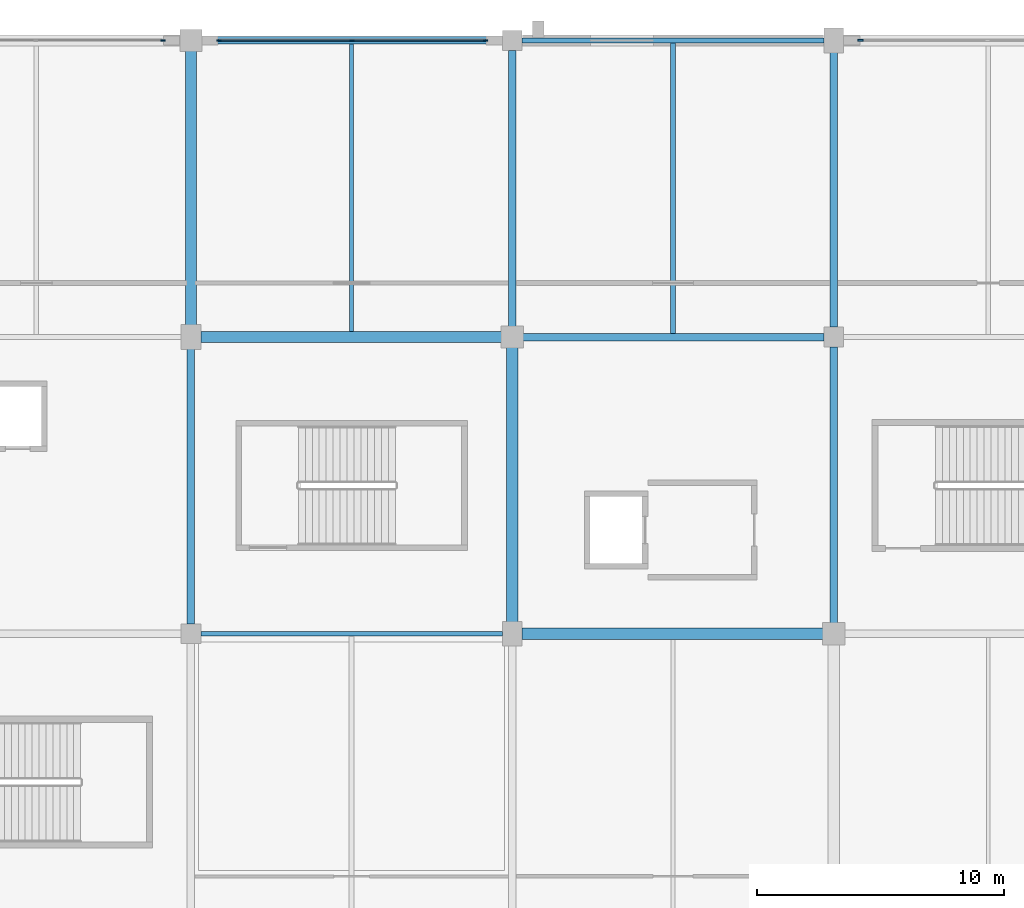
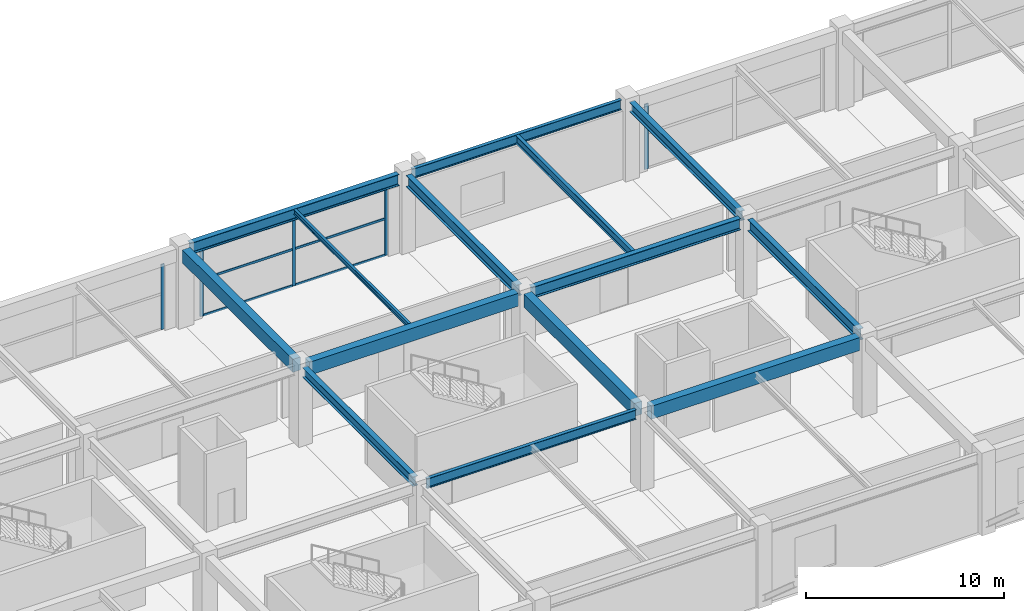
# One storey, part 51 of 116: 14 beams, 11 members, 3 elements without a shape of their own.
"""IFC4 building model written with IfcOpenShell, lengths in metres."""

from ifc_helpers import new_model, si_unit, direction, frame, origin, origin_2d, place, context, subcontext, project, spatial, rectangle, i_section, extrude, material, layer, layer_set, material_profile, profile_set, type_object, element, aggregate, save


model = new_model("IFC4")

# Units and contexts
model_context = context("Model", 3, precision=1e-05, world=origin(), true_north=direction((0.0, 1.0)))
body_context = subcontext(model_context, "Body", "Model", "MODEL_VIEW")
ifc_project = project(units=[si_unit("LENGTHUNIT", "METRE"), si_unit("AREAUNIT", "SQUARE_METRE"), si_unit("VOLUMEUNIT", "CUBIC_METRE"), si_unit("PLANEANGLEUNIT", "RADIAN"), si_unit("MASSUNIT", "GRAM", prefix="KILO")], contexts=[model_context])

# Site, building, storey
site_placement = place(None, origin())
site = spatial("IfcSite", under=ifc_project, at=site_placement, CompositionType="ELEMENT")
building_placement = place(site_placement, origin())
building = spatial("IfcBuilding", under=site, at=building_placement, Name="Kazenohara Klinker Stadium", CompositionType="ELEMENT")
storey_placement = place(building_placement, frame((0.0, 0.0, 10.199951171875)))
storey = spatial("IfcBuildingStorey", under=building, at=storey_placement, Name="L02", CompositionType="ELEMENT", Elevation=10.199951171875)

# Beams
ifc_material_1 = material(Name="Steel S355", Category="steel")
ifc_material_profile_1 = material_profile(ifc_material_1, i_section(OverallWidth=0.199951171875, OverallDepth=0.5, WebThickness=0.010009765625, FlangeThickness=0.01611328125, FilletRadius=0.012939453125, at=origin_2d()), Name="H-500x200x10x16")
ifc_profile_set_1 = profile_set([ifc_material_profile_1], Name="Steel S355")
beam_type_1 = type_object("IfcBeamType", Name="BM-JST01", PredefinedType="JOIST", material=ifc_profile_set_1)
beam_1_placement = place(storey_placement, frame((118.5, 156.14990234375, 4.570068359375), z_axis=(0.0, 1.0, 0.0), x_axis=(-1.0, 0.0, 0.0)))
element("IfcBeam", 1, at=beam_1_placement, inside=storey, type_object=beam_type_1, Name="Secondary floor joist SJ01 L02 10/P", PredefinedType="JOIST", context=body_context, shape_type="SweptSolid", body=[
    extrude(i_section(OverallWidth=0.199951171875, OverallDepth=0.5, WebThickness=0.010009765625, FlangeThickness=0.01611328125, FilletRadius=0.012939453125, at=origin_2d()), origin(), (0.0, 0.0, 1.0), 11.75),
])
ifc_material_profile_2 = material_profile(ifc_material_1, i_section(OverallWidth=0.14990234375, OverallDepth=0.300048828125, WebThickness=0.006591796875, FlangeThickness=0.009033203125, FilletRadius=0.012939453125, at=origin_2d()), Name="H-300x150x6.5x9")
ifc_profile_set_2 = profile_set([ifc_material_profile_2], Name="Steel S355")
beam_type_2 = type_object("IfcBeamType", Name="BM-JST05", PredefinedType="JOIST", material=ifc_profile_set_2)
beam_2_placement = place(storey_placement, frame((105.5, 156.22509765625, 4.670166015625), z_axis=(0.0, 1.0, 0.0), x_axis=(-1.0, 0.0, 0.0)))
element("IfcBeam", 2, at=beam_2_placement, inside=storey, type_object=beam_type_2, Name="Secondary floor joist SJ05 L02 9/P", PredefinedType="JOIST", context=body_context, shape_type="SweptSolid", body=[
    extrude(i_section(OverallWidth=0.14990234375, OverallDepth=0.300048828125, WebThickness=0.006591796875, FlangeThickness=0.009033203125, FilletRadius=0.012939453125, at=origin_2d()), origin(), (0.0, 0.0, 1.0), 11.625),
])
ifc_material_2 = material(Name="Concrete C40/50", Category="concrete")
ifc_material_profile_3 = material_profile(ifc_material_2, rectangle(XDim=0.449951171875, YDim=0.800048828125, at=origin_2d()), Name="RC-BM-450x800")
ifc_profile_set_3 = profile_set([ifc_material_profile_3], Name="Concrete C40/50")
beam_type_3 = type_object("IfcBeamType", Name="BM-RC03", PredefinedType="BEAM", material=ifc_profile_set_3)
for number, where, z_axis, x_axis, name in (
    (3, (99.39990234375, 156.0, 4.420166015625), (1.0, 0.0, 0.0), (0.0, 1.0, 0.0), "Primary girder BG03 L02 9-10/P"),
    (4, (112.39990234375, 144.0, 4.420166015625), (1.0, 0.0, 0.0), (0.0, 1.0, 0.0), "Primary girder BG03 L02 10-11/N"),
):
    element("IfcBeam", number, at=place(storey_placement, frame(where, z_axis=z_axis, x_axis=x_axis)), inside=storey, type_object=beam_type_3, Name=name, PredefinedType="BEAM", context=body_context, shape_type="SweptSolid", body=[
        extrude(rectangle(XDim=0.449951171875, YDim=0.800048828125, at=origin_2d()), origin(), (0.0, 0.0, 1.0), 12.18017578125),
    ])
for number, where, z_axis, x_axis, name in (
    (5, (99.0, 156.419921875, 4.420166015625), (0.0, 1.0, 0.0), (-1.0, 0.0, 0.0), "Primary girder BG03 L02 9/P-Q"),
    (6, (112.0, 144.419921875, 4.420166015625), (0.0, 1.0, 0.0), (-1.0, 0.0, 0.0), "Primary girder BG03 L02 10/N-P"),
):
    element("IfcBeam", number, at=place(storey_placement, frame(where, z_axis=z_axis, x_axis=x_axis)), inside=storey, type_object=beam_type_3, Name=name, PredefinedType="BEAM", context=body_context, shape_type="SweptSolid", body=[
        extrude(rectangle(XDim=0.449951171875, YDim=0.800048828125, at=origin_2d()), origin(), (0.0, 0.0, 1.0), 11.16015625),
    ])
ifc_material_profile_4 = material_profile(ifc_material_1, i_section(OverallWidth=0.300048828125, OverallDepth=0.699951171875, WebThickness=0.012939453125, FlangeThickness=0.02392578125, FilletRadius=0.02197265625, at=origin_2d()), Name="H-700x300x13x24")
ifc_profile_set_4 = profile_set([ifc_material_profile_4], Name="Steel S355")
beam_type_4 = type_object("IfcBeamType", Name="BM-ST03", PredefinedType="BEAM", material=ifc_profile_set_4)
for number, where, z_axis, x_axis, name in (
    (7, (99.419921875, 168.0, 4.469970703125), (1.0, 0.0, 0.0), (0.0, 1.0, 0.0), "Primary girder SB03 L02 9-10/Q"),
    (8, (112.419921875, 156.0, 4.469970703125), (1.0, 0.0, 0.0), (0.0, 1.0, 0.0), "Primary girder SB03 L02 10-11/P"),
):
    element("IfcBeam", number, at=place(storey_placement, frame(where, z_axis=z_axis, x_axis=x_axis)), inside=storey, type_object=beam_type_4, Name=name, PredefinedType="BEAM", context=body_context, shape_type="SweptSolid", body=[
        extrude(i_section(OverallWidth=0.300048828125, OverallDepth=0.699951171875, WebThickness=0.012939453125, FlangeThickness=0.02392578125, FilletRadius=0.02197265625, at=origin_2d()), origin(), (0.0, 0.0, 1.0), 12.18017578125),
    ])
for number, where, z_axis, x_axis, name in (
    (9, (112.0, 156.419921875, 4.469970703125), (0.0, 1.0, 0.0), (-1.0, 0.0, 0.0), "Primary girder SB03 L02 10/P-Q"),
    (10, (125.0, 144.419921875, 4.469970703125), (0.0, 1.0, 0.0), (-1.0, 0.0, 0.0), "Primary girder SB03 L02 11/N-P"),
):
    element("IfcBeam", number, at=place(storey_placement, frame(where, z_axis=z_axis, x_axis=x_axis)), inside=storey, type_object=beam_type_4, Name=name, PredefinedType="BEAM", context=body_context, shape_type="SweptSolid", body=[
        extrude(i_section(OverallWidth=0.300048828125, OverallDepth=0.699951171875, WebThickness=0.012939453125, FlangeThickness=0.02392578125, FilletRadius=0.02197265625, at=origin_2d()), origin(), (0.0, 0.0, 1.0), 11.18017578125),
    ])
ifc_material_profile_5 = material_profile(ifc_material_1, i_section(OverallWidth=0.199951171875, OverallDepth=0.60009765625, WebThickness=0.010986328125, FlangeThickness=0.01708984375, FilletRadius=0.012939453125, at=origin_2d()), Name="H-600x200x11x17")
ifc_profile_set_5 = profile_set([ifc_material_profile_5], Name="Steel S355")
beam_type_5 = type_object("IfcBeamType", Name="BM-ST04", PredefinedType="BEAM", material=ifc_profile_set_5)
for number, where, z_axis, x_axis, name in (
    (11, (99.39990234375, 144.0, 4.52001953125), (1.0, 0.0, 0.0), (0.0, 1.0, 0.0), "Primary girder SB04 L02 9-10/N"),
    (12, (112.39990234375, 168.0, 4.52001953125), (1.0, 0.0, 0.0), (0.0, 1.0, 0.0), "Primary girder SB04 L02 10-11/Q"),
):
    element("IfcBeam", number, at=place(storey_placement, frame(where, z_axis=z_axis, x_axis=x_axis)), inside=storey, type_object=beam_type_5, Name=name, PredefinedType="BEAM", context=body_context, shape_type="SweptSolid", body=[
        extrude(i_section(OverallWidth=0.199951171875, OverallDepth=0.60009765625, WebThickness=0.010986328125, FlangeThickness=0.01708984375, FilletRadius=0.012939453125, at=origin_2d()), origin(), (0.0, 0.0, 1.0), 12.2001953125),
    ])
ifc_material_profile_6 = material_profile(ifc_material_1, i_section(OverallWidth=0.300048828125, OverallDepth=0.587890625, WebThickness=0.011962890625, FlangeThickness=0.02001953125, FilletRadius=0.02197265625, at=origin_2d()), Name="H-588x300x12x20")
ifc_profile_set_6 = profile_set([ifc_material_profile_6], Name="Steel S355")
beam_type_6 = type_object("IfcBeamType", Name="BM-ST05", PredefinedType="BEAM", material=ifc_profile_set_6)
for number, where, z_axis, x_axis, name in (
    (13, (99.0, 144.39990234375, 4.526123046875), (0.0, 1.0, 0.0), (-1.0, 0.0, 0.0), "Primary girder SB05 L02 9/N-P"),
    (14, (125.0, 156.39990234375, 4.526123046875), (0.0, 1.0, 0.0), (-1.0, 0.0, 0.0), "Primary girder SB05 L02 11/P-Q"),
):
    element("IfcBeam", number, at=place(storey_placement, frame(where, z_axis=z_axis, x_axis=x_axis)), inside=storey, type_object=beam_type_6, Name=name, PredefinedType="BEAM", context=body_context, shape_type="SweptSolid", body=[
        extrude(i_section(OverallWidth=0.300048828125, OverallDepth=0.587890625, WebThickness=0.011962890625, FlangeThickness=0.02001953125, FilletRadius=0.02197265625, at=origin_2d()), origin(), (0.0, 0.0, 1.0), 11.18017578125),
    ])

# Curtain wall, member
ifc_material_3 = material(Name="Anodised aluminium and triple glazing", Category="aluminium")
ifc_layer_1 = layer(ifc_material_3, 0.159912109375)
ifc_layer_set_1 = layer_set([ifc_layer_1], Name="Anodised aluminium and triple glazing")
curtain_wall_type_1 = type_object("IfcCurtainWallType", Name="CW-SYS-01", PredefinedType="USERDEFINED", material=ifc_layer_set_1)
curtain_wall_1_placement = place(storey_placement, origin())
curtain_wall_1 = element("IfcCurtainWall", 15, at=curtain_wall_1_placement, inside=storey, type_object=curtain_wall_type_1, Name="Unitised facade curtain wall CW01 L02 X7-14", ObjectType="UNITISED CURTAIN WALL", PredefinedType="USERDEFINED")
ifc_material_4 = material(Name="Anodised aluminium 6063-T6", Category="aluminium")
ifc_material_profile_7 = material_profile(ifc_material_4, rectangle(XDim=0.06494140625, YDim=0.179931640625, at=origin_2d()), Name="ALU-MUL-65x180")
ifc_profile_set_7 = profile_set([ifc_material_profile_7], Name="Anodised aluminium 6063-T6")
member_type_1 = type_object("IfcMemberType", Name="CW-MUL-180", PredefinedType="MULLION", material=ifc_profile_set_7)
member_1_placement = place(storey_placement, frame((97.863525390625, 168.0, 0.0), z_axis=(0.0, 0.0, 1.0), x_axis=(0.0, 1.0, 0.0)))
member_1 = element("IfcMember", 16, at=member_1_placement, type_object=member_type_1, Name="CW01 mullion 3", PredefinedType="MULLION", context=body_context, shape_type="SweptSolid", body=[
    extrude(rectangle(XDim=0.06494140625, YDim=0.179931640625, at=origin_2d()), origin(), (0.0, 0.0, 1.0), 4.02001953125),
])
aggregate(curtain_wall_1, [member_1])

# Curtain wall, members
ifc_layer_2 = layer(ifc_material_3, 0.199951171875)
ifc_layer_set_2 = layer_set([ifc_layer_2], Name="Anodised aluminium and triple glazing")
curtain_wall_type_2 = type_object("IfcCurtainWallType", Name="CW-SYS-03", PredefinedType="USERDEFINED", material=ifc_layer_set_2)
curtain_wall_2_placement = place(storey_placement, origin())
curtain_wall_2 = element("IfcCurtainWall", 17, at=curtain_wall_2_placement, inside=storey, type_object=curtain_wall_type_2, Name="Unitised facade curtain wall CW03 L02 X8-14", ObjectType="UNITISED CURTAIN WALL", PredefinedType="USERDEFINED")
member_2_placement = place(storey_placement, frame((100.136474609375, 168.0, 0.0), z_axis=(0.0, 0.0, 1.0), x_axis=(0.0, 1.0, 0.0)))
member_2 = element("IfcMember", 18, at=member_2_placement, type_object=member_type_1, Name="CW03 mullion 1", PredefinedType="MULLION", context=body_context, shape_type="SweptSolid", body=[
    extrude(rectangle(XDim=0.06494140625, YDim=0.179931640625, at=origin_2d()), origin(), (0.0, 0.0, 1.0), 4.1201171875),
])
member_3_placement = place(storey_placement, frame((105.52490234375, 168.0, 0.0), z_axis=(0.0, 0.0, 1.0), x_axis=(0.0, 1.0, 0.0)))
member_3 = element("IfcMember", 19, at=member_3_placement, type_object=member_type_1, Name="CW03 mullion 2", PredefinedType="MULLION", context=body_context, shape_type="SweptSolid", body=[
    extrude(rectangle(XDim=0.06494140625, YDim=0.179931640625, at=origin_2d()), origin(), (0.0, 0.0, 1.0), 4.1201171875),
])
member_4_placement = place(storey_placement, frame((110.91357421875, 168.0, 0.0), z_axis=(0.0, 0.0, 1.0), x_axis=(0.0, 1.0, 0.0)))
member_4 = element("IfcMember", 20, at=member_4_placement, type_object=member_type_1, Name="CW03 mullion 3", PredefinedType="MULLION", context=body_context, shape_type="SweptSolid", body=[
    extrude(rectangle(XDim=0.06494140625, YDim=0.179931640625, at=origin_2d()), origin(), (0.0, 0.0, 1.0), 4.1201171875),
])

# Curtain wall, member
curtain_wall_3_placement = place(storey_placement, origin())
curtain_wall_3 = element("IfcCurtainWall", 21, at=curtain_wall_3_placement, inside=storey, type_object=curtain_wall_type_1, Name="Unitised facade curtain wall CW01 L02 X10-14", ObjectType="UNITISED CURTAIN WALL", PredefinedType="USERDEFINED")
ifc_material_profile_8 = material_profile(ifc_material_4, rectangle(XDim=0.074951171875, YDim=0.219970703125, at=origin_2d()), Name="ALU-MUL-75x220")
ifc_profile_set_8 = profile_set([ifc_material_profile_8], Name="Anodised aluminium 6063-T6")
member_type_2 = type_object("IfcMemberType", Name="CW-MUL-220", PredefinedType="MULLION", material=ifc_profile_set_8)
member_5_placement = place(storey_placement, frame((126.091552734375, 168.0, 0.0), z_axis=(0.0, 0.0, 1.0), x_axis=(0.0, 1.0, 0.0)))
member_5 = element("IfcMember", 22, at=member_5_placement, type_object=member_type_2, Name="CW01 mullion 1", PredefinedType="MULLION", context=body_context, shape_type="SweptSolid", body=[
    extrude(rectangle(XDim=0.074951171875, YDim=0.219970703125, at=origin_2d()), origin(), (0.0, 0.0, 1.0), 4.02001953125),
])
aggregate(curtain_wall_3, [member_5])

# Member
ifc_material_profile_9 = material_profile(ifc_material_4, rectangle(XDim=0.06494140625, YDim=0.139892578125, at=origin_2d()), Name="ALU-TRN-65x140")
ifc_profile_set_9 = profile_set([ifc_material_profile_9], Name="Anodised aluminium 6063-T6")
member_type_3 = type_object("IfcMemberType", Name="CW-TRN-140", PredefinedType="USERDEFINED", material=ifc_profile_set_9)
member_6_placement = place(storey_placement, frame((100.1689453125, 168.0, 0.032470703125), z_axis=(1.0, 0.0, 0.0), x_axis=(0.0, 1.0, 0.0)))
member_6 = element("IfcMember", 23, at=member_6_placement, type_object=member_type_3, Name="CW03 transom 1.1", ObjectType="TRANSOM", PredefinedType="USERDEFINED", context=body_context, shape_type="SweptSolid", body=[
    extrude(rectangle(XDim=0.06494140625, YDim=0.139892578125, at=origin_2d()), origin(), (0.0, 0.0, 1.0), 5.323486328125),
])

member_7_placement = place(storey_placement, frame((100.1689453125, 168.0, 2.26611328125), z_axis=(1.0, 0.0, 0.0), x_axis=(0.0, 1.0, 0.0)))
member_7 = element("IfcMember", 24, at=member_7_placement, type_object=member_type_3, Name="CW03 transom 1.2", ObjectType="TRANSOM", PredefinedType="USERDEFINED", context=body_context, shape_type="SweptSolid", body=[
    extrude(rectangle(XDim=0.06494140625, YDim=0.139892578125, at=origin_2d()), origin(), (0.0, 0.0, 1.0), 5.323486328125),
])

member_8_placement = place(storey_placement, frame((100.1689453125, 168.0, 4.087646484375), z_axis=(1.0, 0.0, 0.0), x_axis=(0.0, 1.0, 0.0)))
member_8 = element("IfcMember", 25, at=member_8_placement, type_object=member_type_3, Name="CW03 transom 1.3", ObjectType="TRANSOM", PredefinedType="USERDEFINED", context=body_context, shape_type="SweptSolid", body=[
    extrude(rectangle(XDim=0.06494140625, YDim=0.139892578125, at=origin_2d()), origin(), (0.0, 0.0, 1.0), 5.323486328125),
])

member_9_placement = place(storey_placement, frame((105.5576171875, 168.0, 0.032470703125), z_axis=(1.0, 0.0, 0.0), x_axis=(0.0, 1.0, 0.0)))
member_9 = element("IfcMember", 26, at=member_9_placement, type_object=member_type_3, Name="CW03 transom 2.1", ObjectType="TRANSOM", PredefinedType="USERDEFINED", context=body_context, shape_type="SweptSolid", body=[
    extrude(rectangle(XDim=0.06494140625, YDim=0.139892578125, at=origin_2d()), origin(), (0.0, 0.0, 1.0), 5.323486328125),
])

member_10_placement = place(storey_placement, frame((105.5576171875, 168.0, 2.26611328125), z_axis=(1.0, 0.0, 0.0), x_axis=(0.0, 1.0, 0.0)))
member_10 = element("IfcMember", 27, at=member_10_placement, type_object=member_type_3, Name="CW03 transom 2.2", ObjectType="TRANSOM", PredefinedType="USERDEFINED", context=body_context, shape_type="SweptSolid", body=[
    extrude(rectangle(XDim=0.06494140625, YDim=0.139892578125, at=origin_2d()), origin(), (0.0, 0.0, 1.0), 5.323486328125),
])

member_11_placement = place(storey_placement, frame((105.5576171875, 168.0, 4.087646484375), z_axis=(1.0, 0.0, 0.0), x_axis=(0.0, 1.0, 0.0)))
member_11 = element("IfcMember", 28, at=member_11_placement, type_object=member_type_3, Name="CW03 transom 2.3", ObjectType="TRANSOM", PredefinedType="USERDEFINED", context=body_context, shape_type="SweptSolid", body=[
    extrude(rectangle(XDim=0.06494140625, YDim=0.139892578125, at=origin_2d()), origin(), (0.0, 0.0, 1.0), 5.323486328125),
])

aggregate(curtain_wall_2, [member_2, member_3, member_4, member_6, member_7, member_8, member_9, member_10, member_11])

save(model, "model.ifc")
